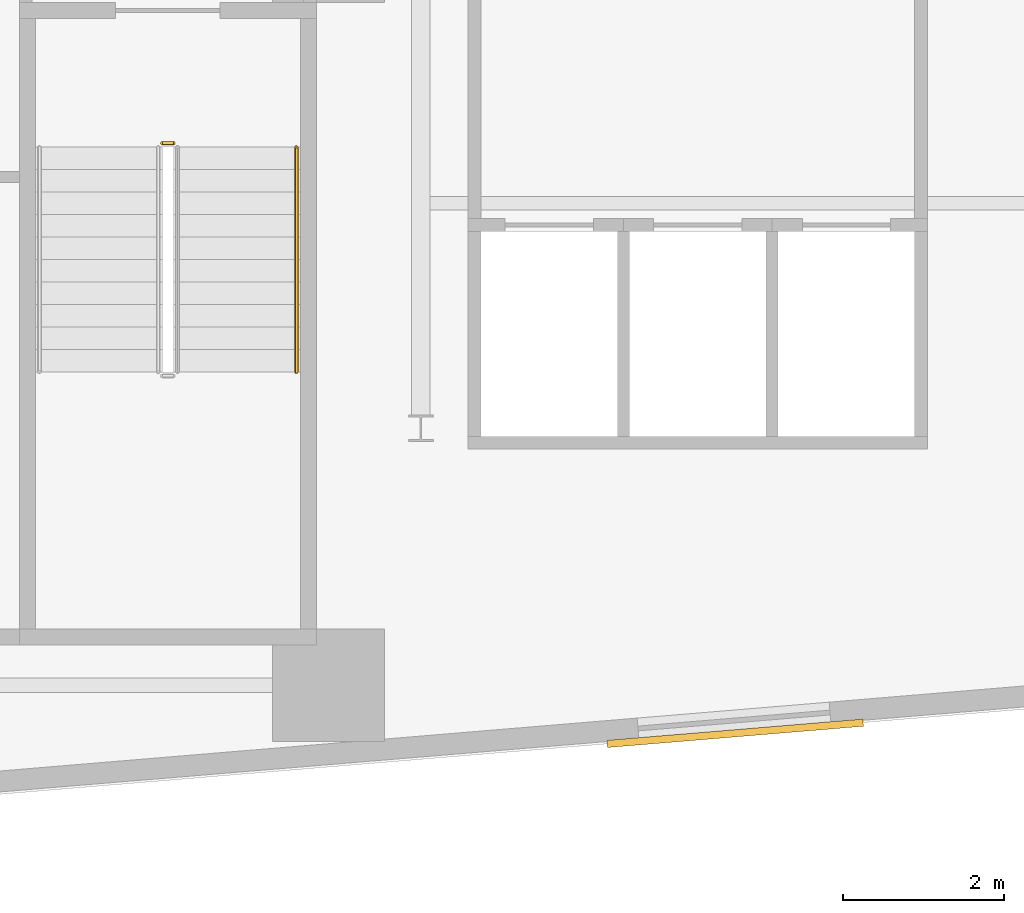
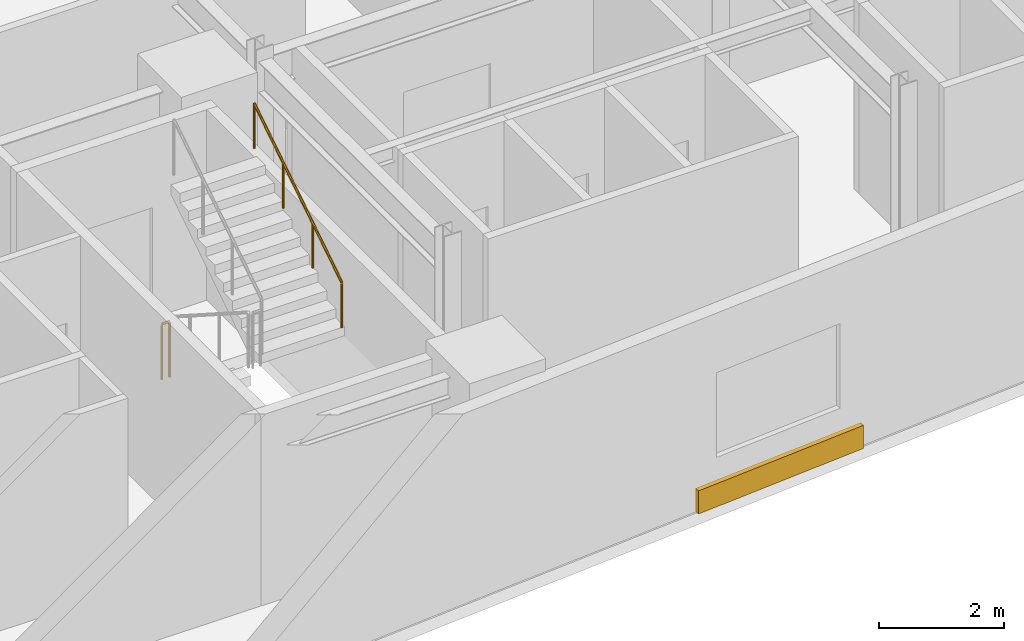
# One storey, part 18 of 22: 2 railings, 1 covering.
"""IFC4 building model written with IfcOpenShell, lengths in metres."""

from ifc_helpers import new_model, si_unit, direction, frame, origin, origin_2d, place, context, subcontext, project, spatial, rectangle, circle, extrude, material, layer, layer_set, type_object, element, save


model = new_model("IFC4")

# Units and contexts
model_context = context("Model", 3, precision=1e-05, world=origin(), true_north=direction((0.0, 1.0)))
body_context = subcontext(model_context, "Body", "Model", "MODEL_VIEW")
ifc_project = project(units=[si_unit("LENGTHUNIT", "METRE"), si_unit("AREAUNIT", "SQUARE_METRE"), si_unit("VOLUMEUNIT", "CUBIC_METRE"), si_unit("PLANEANGLEUNIT", "RADIAN"), si_unit("MASSUNIT", "GRAM", prefix="KILO")], contexts=[model_context])

# Site, building, storey
site_placement = place(None, origin())
site = spatial("IfcSite", under=ifc_project, at=site_placement, CompositionType="ELEMENT")
building_placement = place(site_placement, origin())
building = spatial("IfcBuilding", under=site, at=building_placement, Name="Varnakote Quay Hospital", CompositionType="ELEMENT")
storey_placement = place(building_placement, frame((0.0, 0.0, 65.949951171875)))
storey = spatial("IfcBuildingStorey", under=building, at=storey_placement, Name="L16", CompositionType="ELEMENT", Elevation=65.949951171875)

# Covering
ifc_material_1 = material(Name="Kiln-fired red brick architectural cladding", Category="masonry")
ifc_layer = layer(ifc_material_1, 0.090087890625)
ifc_layer_set = layer_set([ifc_layer], Name="Kiln-fired red brick architectural cladding")
covering_type = type_object("IfcCoveringType", Name="COV-BRICK-CLAD-90", PredefinedType="CLADDING", material=ifc_layer_set)
covering_placement = place(storey_placement, frame((29.11328125, 2.201171875, 0.0), z_axis=(0.0, 0.0, 1.0), x_axis=(0.996565502498, 0.082808207512, 0.0)))
element("IfcCovering", 1, at=covering_placement, inside=storey, type_object=covering_type, Name="L16 Kiln-Brick Precast Spandrel Cladding Band", PredefinedType="CLADDING", context=body_context, shape_type="SweptSolid", body=[
    extrude(rectangle(XDim=3.199951171875, YDim=0.090087890625, at=origin_2d()), origin(), (0.0, 0.0, 1.0), 0.449951171875),
])

# Railings
ifc_material_2 = material(Name="Brushed stainless steel balustrade", Category="steel")
railing_type_1 = type_object("IfcRailingType", Name="RLG-STAIR-GUARD-1150", PredefinedType="GUARDRAIL", material=ifc_material_2)
railing_1_placement = place(storey_placement, frame((21.97998046875, 9.550048828125, 0.0)))
element("IfcRailing", 2, at=railing_1_placement, inside=storey, type_object=railing_type_1, Name="L16 ST-02 stair guard 4", PredefinedType="GUARDRAIL", context=body_context, shape_type="SweptSolid", body=[
    extrude(circle(Radius=0.02392578125, at=origin_2d()), frame((0.0, 0.0, 1.076171875), z_axis=(1.0, 0.0, 0.0), x_axis=(0.0, 1.0, 0.0)), (0.0, 0.0, 1.0), 0.14013671875),
    extrude(circle(Radius=0.02099609375, at=origin_2d()), origin(), (0.0, 0.0, 1.0), 1.052001953125),
    extrude(circle(Radius=0.02099609375, at=origin_2d()), frame((0.14013671875, 0.0, 0.0)), (0.0, 0.0, 1.0), 1.052001953125),
])
ifc_material_3 = material(Name="Brushed stainless steel handrail", Category="steel")
railing_type_2 = type_object("IfcRailingType", Name="RLG-STAIR-HND-920", PredefinedType="HANDRAIL", material=ifc_material_3)
railing_2_placement = place(storey_placement, frame((23.64990234375, 6.699951171875, 2.154541015625)))
element("IfcRailing", 3, at=railing_2_placement, inside=storey, type_object=railing_type_2, Name="L16 ST-02 stair handrail 2", PredefinedType="HANDRAIL", context=body_context, shape_type="SweptSolid", body=[
    extrude(circle(Radius=0.02392578125, at=origin_2d()), frame((0.0, 0.0, 0.8759765625), z_axis=(0.0, 0.841809871826, 0.539774156196), x_axis=(-1.0, 0.0, 0.0)), (0.0, 0.0, 1.0), 3.326171875),
    extrude(circle(Radius=0.02099609375, at=origin_2d()), origin(), (0.0, 0.0, 1.0), 0.851806640625),
    extrude(circle(Radius=0.02099609375, at=origin_2d()), frame((0.0, 0.933349609375, 0.598388671875)), (0.0, 0.0, 1.0), 0.851806640625),
    extrude(circle(Radius=0.02099609375, at=origin_2d()), frame((0.0, 1.86669921875, 1.197021484375)), (0.0, 0.0, 1.0), 0.851806640625),
    extrude(circle(Radius=0.02099609375, at=origin_2d()), frame((0.0, 2.800048828125, 1.79541015625)), (0.0, 0.0, 1.0), 0.851806640625),
])

save(model, "model.ifc")
